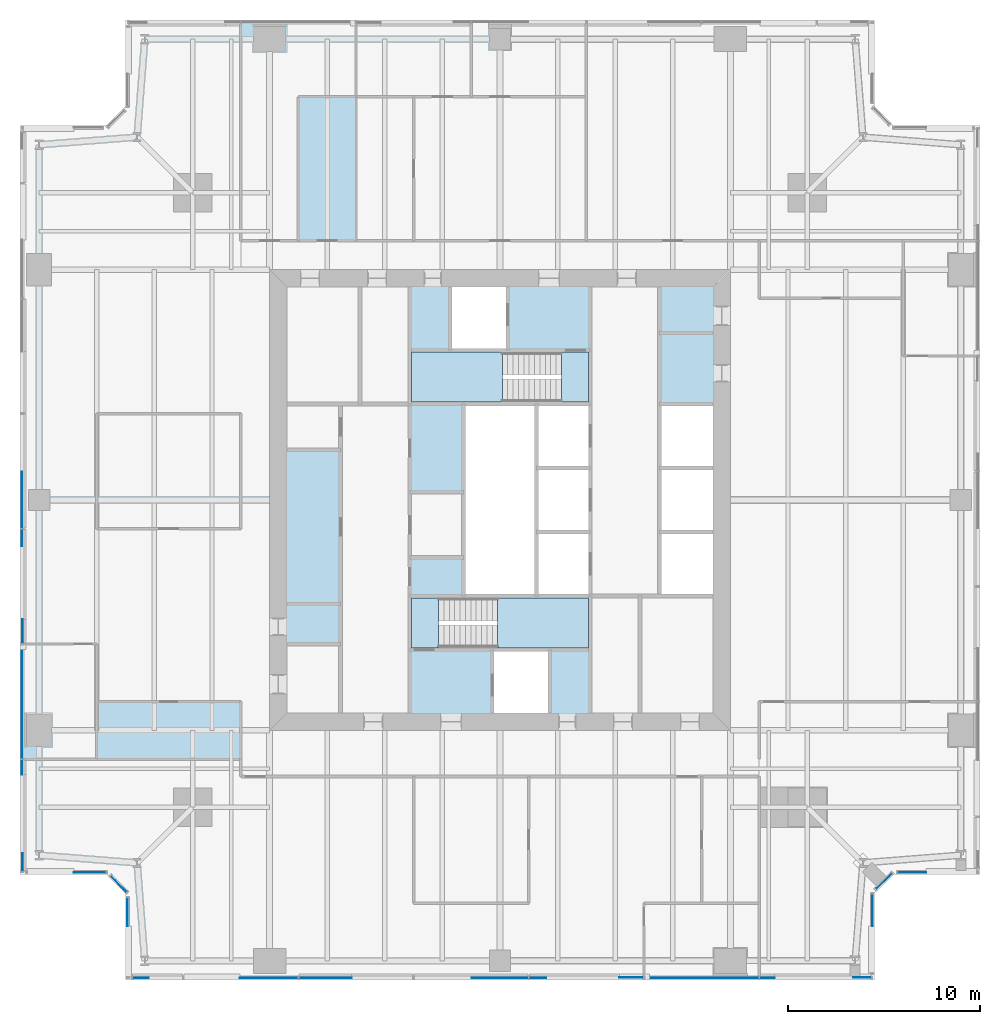
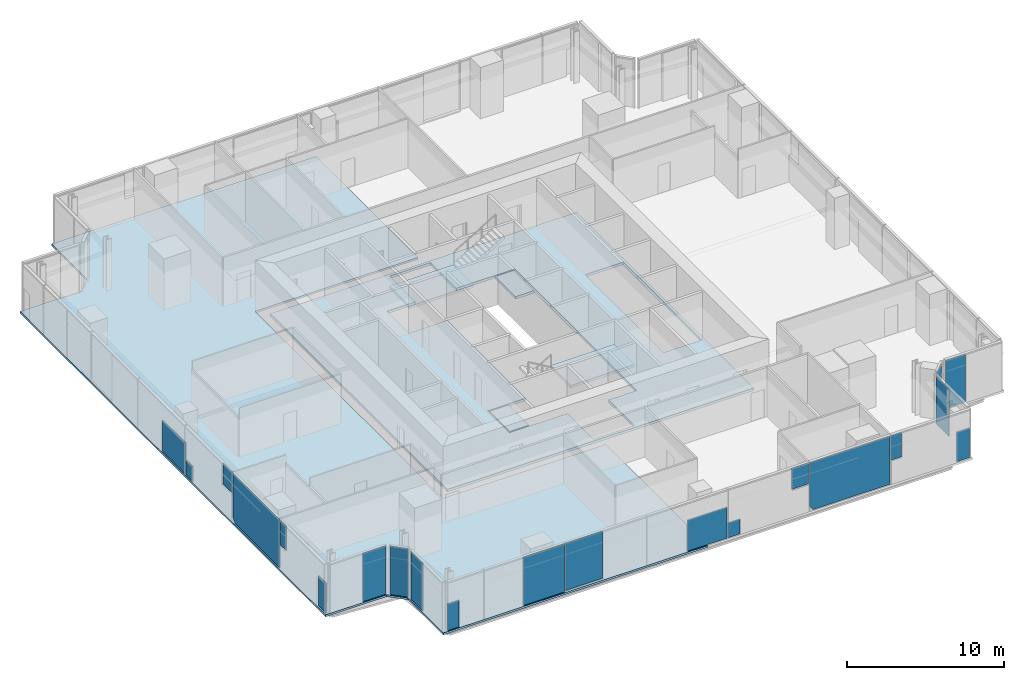
# One storey, part 8 of 15: 21 plates, 6 slabs, 10 elements without a shape of their own.
"""IFC4 building model written with IfcOpenShell, lengths in metres."""

from ifc_helpers import new_model, si_unit, direction, frame, origin, origin_2d, place, context, subcontext, project, spatial, polyline, rectangle, outline, extrude, material, layer, layer_set, type_object, element, aggregate, save


model = new_model("IFC4")

# Units and contexts
model_context = context("Model", 3, precision=1e-05, world=origin(), true_north=direction((0.0, 1.0)))
body_context = subcontext(model_context, "Body", "Model", "MODEL_VIEW")
ifc_project = project(units=[si_unit("LENGTHUNIT", "METRE"), si_unit("AREAUNIT", "SQUARE_METRE"), si_unit("VOLUMEUNIT", "CUBIC_METRE"), si_unit("PLANEANGLEUNIT", "RADIAN"), si_unit("MASSUNIT", "GRAM", prefix="KILO")], contexts=[model_context])

# Site, building, storey
site_placement = place(None, origin())
site = spatial("IfcSite", under=ifc_project, at=site_placement, CompositionType="ELEMENT")
building_placement = place(site_placement, origin())
building = spatial("IfcBuilding", under=site, at=building_placement, Name="Fenwick Lantern Interchange", CompositionType="ELEMENT")
storey_placement = place(building_placement, frame((0.0, 0.0, 209.800048828125)))
storey = spatial("IfcBuildingStorey", under=building, at=storey_placement, Name="L49", CompositionType="ELEMENT", Elevation=209.800048828125)

# Slabs
ifc_material_1 = material(Name="Concrete f'c 35 MPa", Category="concrete")
ifc_layer_1 = layer(ifc_material_1, 0.199951171875)
ifc_layer_set_1 = layer_set([ifc_layer_1], Name="CORE FLOOR SLAB 200")
slab_type_1 = type_object("IfcSlabType", Name="CORE FLOOR SLAB 200", PredefinedType="FLOOR", material=ifc_layer_set_1)
slab_1_placement = place(storey_placement, frame((0.0, 0.0, -0.199951171875)))
element("IfcSlab", 1, at=slab_1_placement, inside=storey, type_object=slab_type_1, Name="L49/SLAB/CORE", PredefinedType="FLOOR", context=body_context, shape_type="SweptSolid", body=[
    extrude(outline(polyline([(13.699951171875, 36.300048828125), (36.300048828125, 36.300048828125), (36.300048828125, 13.699951171875), (13.699951171875, 13.699951171875), (13.699951171875, 36.300048828125)]), holes=[polyline([(24.60009765625, 13.89990234375), (27.60009765625, 13.89990234375), (27.60009765625, 17.199951171875), (29.699951171875, 17.199951171875), (29.699951171875, 20.0), (29.699951171875, 23.333251953125), (29.699951171875, 26.666748046875), (29.699951171875, 30.0), (29.699951171875, 32.800048828125), (25.39990234375, 32.800048828125), (25.39990234375, 36.10009765625), (22.39990234375, 36.10009765625), (22.39990234375, 32.800048828125), (20.300048828125, 32.800048828125), (20.300048828125, 30.0), (23.10009765625, 30.0), (23.10009765625, 20.0), (20.300048828125, 20.0), (20.300048828125, 17.199951171875), (24.60009765625, 17.199951171875), (24.60009765625, 13.89990234375)]), polyline([(33.300048828125, 23.333251953125), (33.300048828125, 20.0), (36.10009765625, 20.0), (36.10009765625, 23.333251953125), (36.10009765625, 26.666748046875), (36.10009765625, 30.0), (33.300048828125, 30.0), (33.300048828125, 26.666748046875), (33.300048828125, 23.333251953125)])]), origin(), (0.0, 0.0, 1.0), 0.199951171875),
])
ifc_material_2 = material(Name="Concrete f'c 35 MPa", Category="concrete")
ifc_layer_2 = layer(ifc_material_2, 0.14990234375)
ifc_layer_set_2 = layer_set([ifc_layer_2], Name="Concrete f'c 35 MPa")
slab_type_2 = type_object("IfcSlabType", Name="FLOOR SLAB 150", PredefinedType="FLOOR", material=ifc_layer_set_2)
slab_2_placement = place(storey_placement, frame((0.0, 0.0, -0.150146484375)))
element("IfcSlab", 2, at=slab_2_placement, inside=storey, type_object=slab_type_2, Name="L49/SLAB/FW", PredefinedType="FLOOR", context=body_context, shape_type="SweptSolid", body=[
    extrude(outline(polyline([(5.5, 0.0), (5.5, 4.5), (4.5, 5.5), (0.0, 5.5), (0.0, 44.5), (4.5, 44.5), (5.5, 45.5), (5.5, 50.0), (25.0, 50.0), (25.0, 37.0), (13.0, 37.0), (13.0, 13.0), (25.0, 13.0), (25.0, 0.0), (5.5, 0.0)])), origin(), (0.0, 0.0, 1.0), 0.150146484375),
])

# Curtain wall, plates
ifc_material_3 = material(Name="Aluminium curtain wall frame", Category="aluminium")
curtain_wall_type = type_object("IfcCurtainWallType", Name="OFFICE CURTAIN WALL", PredefinedType="USERDEFINED", material=ifc_material_3)
curtain_wall_1_placement = place(storey_placement, origin())
curtain_wall_1 = element("IfcCurtainWall", 3, at=curtain_wall_1_placement, inside=storey, type_object=curtain_wall_type, Name="Office curtain wall 01", ObjectType="OFFICE CURTAIN WALL", PredefinedType="USERDEFINED")
ifc_material_4 = material(Name="Vision glass, clear low-iron double glazed", Category="glass")
ifc_layer_3 = layer(ifc_material_4, 0.031982421875)
ifc_layer_set_3 = layer_set([ifc_layer_3], Name="OFFICE CURTAIN WALL PANEL 32")
plate_type = type_object("IfcPlateType", Name="OFFICE CURTAIN WALL PANEL 32", PredefinedType="CURTAIN_PANEL", material=ifc_layer_set_3)
plate_1_placement = place(storey_placement, frame((5.60009765625, 0.10009765625, 0.0), z_axis=(0.0, 0.0, 1.0), x_axis=(1.0, 0.0, 0.0)))
plate_1 = element("IfcPlate", 4, at=plate_1_placement, type_object=plate_type, Name="L49/CW/01/P00a", PredefinedType="CURTAIN_PANEL", context=body_context, shape_type="SweptSolid", body=[
    extrude(outline(polyline([(0.264892578125, 0.0), (1.114990234375, 0.0), (1.114990234375, 2.082275390625), (0.264892578125, 2.082275390625), (0.264892578125, 0.0)])), frame((0.0, 0.01611328125, 0.0), z_axis=(0.0, -1.0, 0.0), x_axis=(1.0, 0.0, 0.0)), (0.0, 0.0, 1.0), 0.031982421875),
])
plate_2_placement = place(storey_placement, frame((5.60009765625, 0.10009765625, 0.0), z_axis=(0.0, 0.0, 1.0), x_axis=(1.0, 0.0, 0.0)))
plate_2 = element("IfcPlate", 5, at=plate_2_placement, type_object=plate_type, Name="L49/CW/01/P01a", PredefinedType="CURTAIN_PANEL", context=body_context, shape_type="SweptSolid", body=[
    extrude(outline(polyline([(5.84814453125, 0.0), (8.867431640625, 0.0), (8.867431640625, 3.75), (5.84814453125, 3.75), (5.84814453125, 0.0)])), frame((0.0, 0.01611328125, 0.0), z_axis=(0.0, -1.0, 0.0), x_axis=(1.0, 0.0, 0.0)), (0.0, 0.0, 1.0), 0.031982421875),
])
plate_3_placement = place(storey_placement, frame((5.60009765625, 0.10009765625, 0.090576171875), z_axis=(0.0, 0.0, 1.0), x_axis=(1.0, 0.0, 0.0)))
plate_3 = element("IfcPlate", 6, at=plate_3_placement, type_object=plate_type, Name="L49/CW/01/P02a", PredefinedType="CURTAIN_PANEL", context=body_context, shape_type="SweptSolid", body=[
    extrude(outline(polyline([(8.9326171875, 0.0), (11.672607421875, 0.0), (11.672607421875, 3.659423828125), (8.9326171875, 3.659423828125), (8.9326171875, 0.0)])), frame((0.0, 0.01611328125, 0.0), z_axis=(0.0, -1.0, 0.0), x_axis=(1.0, 0.0, 0.0)), (0.0, 0.0, 1.0), 0.031982421875),
])
plate_4_placement = place(storey_placement, frame((5.60009765625, 0.10009765625, 0.0), z_axis=(0.0, 0.0, 1.0), x_axis=(1.0, 0.0, 0.0)))
plate_4 = element("IfcPlate", 7, at=plate_4_placement, type_object=plate_type, Name="L49/CW/01/P03a", PredefinedType="CURTAIN_PANEL", context=body_context, shape_type="SweptSolid", body=[
    extrude(outline(polyline([(17.9345703125, 0.0), (20.864501953125, 0.0), (20.864501953125, 2.43994140625), (17.9345703125, 2.43994140625), (17.9345703125, 0.0)])), frame((0.0, 0.01611328125, 0.0), z_axis=(0.0, -1.0, 0.0), x_axis=(1.0, 0.0, 0.0)), (0.0, 0.0, 1.0), 0.031982421875),
])
plate_5_placement = place(storey_placement, frame((5.60009765625, 0.10009765625, 0.0), z_axis=(0.0, 0.0, 1.0), x_axis=(1.0, 0.0, 0.0)))
plate_5 = element("IfcPlate", 8, at=plate_5_placement, type_object=plate_type, Name="L49/CW/01/P04a", PredefinedType="CURTAIN_PANEL", context=body_context, shape_type="SweptSolid", body=[
    extrude(outline(polyline([(20.9326171875, 0.0), (21.8125, 0.0), (21.8125, 1.17724609375), (20.9326171875, 1.17724609375), (20.9326171875, 0.0)])), frame((0.0, 0.01611328125, 0.0), z_axis=(0.0, -1.0, 0.0), x_axis=(1.0, 0.0, 0.0)), (0.0, 0.0, 1.0), 0.031982421875),
])
plate_6_placement = place(storey_placement, frame((5.60009765625, 0.10009765625, 2.0966796875), z_axis=(0.0, 0.0, 1.0), x_axis=(1.0, 0.0, 0.0)))
plate_6 = element("IfcPlate", 9, at=plate_6_placement, type_object=plate_type, Name="L49/CW/01/P04b", PredefinedType="CURTAIN_PANEL", context=body_context, shape_type="SweptSolid", body=[
    extrude(outline(polyline([(25.623046875, 0.0), (26.867431640625, 0.0), (26.867431640625, 1.6533203125), (25.623046875, 1.6533203125), (25.623046875, 0.0)])), frame((0.0, 0.0498046875, 0.0), z_axis=(0.0, -1.0, 0.0), x_axis=(1.0, 0.0, 0.0)), (0.0, 0.0, 1.0), 0.031982421875),
])
plate_7_placement = place(storey_placement, frame((5.60009765625, 0.10009765625, 0.0), z_axis=(0.0, 0.0, 1.0), x_axis=(1.0, 0.0, 0.0)))
plate_7 = element("IfcPlate", 10, at=plate_7_placement, type_object=plate_type, Name="L49/CW/01/P05a", PredefinedType="CURTAIN_PANEL", context=body_context, shape_type="SweptSolid", body=[
    extrude(outline(polyline([(27.195556640625, 0.0), (32.867431640625, 0.0), (32.867431640625, 3.75), (26.9326171875, 3.75), (26.9326171875, 0.3505859375), (27.195556640625, 0.0)])), frame((0.0, 0.01611328125, 0.0), z_axis=(0.0, -1.0, 0.0), x_axis=(1.0, 0.0, 0.0)), (0.0, 0.0, 1.0), 0.031982421875),
])
plate_8_placement = place(storey_placement, frame((5.60009765625, 0.10009765625, 1.843994140625), z_axis=(0.0, 0.0, 1.0), x_axis=(1.0, 0.0, 0.0)))
plate_8 = element("IfcPlate", 11, at=plate_8_placement, type_object=plate_type, Name="L49/CW/01/P06a", PredefinedType="CURTAIN_PANEL", context=body_context, shape_type="SweptSolid", body=[
    extrude(outline(polyline([(32.9326171875, 0.0), (33.702392578125, 0.0), (33.702392578125, 1.906005859375), (32.9326171875, 1.906005859375), (32.9326171875, 0.0)])), frame((0.0, 0.01611328125, 0.0), z_axis=(0.0, -1.0, 0.0), x_axis=(1.0, 0.0, 0.0)), (0.0, 0.0, 1.0), 0.031982421875),
])
plate_9_placement = place(storey_placement, frame((5.60009765625, 0.10009765625, 0.0), z_axis=(0.0, 0.0, 1.0), x_axis=(1.0, 0.0, 0.0)))
plate_9 = element("IfcPlate", 12, at=plate_9_placement, type_object=plate_type, Name="L49/CW/01/P06b", PredefinedType="CURTAIN_PANEL", context=body_context, shape_type="SweptSolid", body=[
    extrude(outline(polyline([(37.7890625, 0.0), (38.735107421875, 0.0), (38.735107421875, 2.33837890625), (37.7890625, 2.33837890625), (37.7890625, 0.0)])), frame((0.0, 0.0498046875, 0.0), z_axis=(0.0, -1.0, 0.0), x_axis=(1.0, 0.0, 0.0)), (0.0, 0.0, 1.0), 0.031982421875),
])
aggregate(curtain_wall_1, [plate_1, plate_2, plate_3, plate_4, plate_5, plate_6, plate_7, plate_8, plate_9])

# Curtain wall, plate
curtain_wall_2_placement = place(storey_placement, origin())
curtain_wall_2 = element("IfcCurtainWall", 13, at=curtain_wall_2_placement, inside=storey, type_object=curtain_wall_type, Name="Office curtain wall 02", ObjectType="OFFICE CURTAIN WALL", PredefinedType="USERDEFINED")
plate_10_placement = place(storey_placement, frame((44.39990234375, 0.10009765625, 0.0), z_axis=(0.0, 0.0, 1.0), x_axis=(0.0, 1.0, 0.0)))
plate_10 = element("IfcPlate", 14, at=plate_10_placement, type_object=plate_type, Name="L49/CW/02/P00a", PredefinedType="CURTAIN_PANEL", context=body_context, shape_type="SweptSolid", body=[
    extrude(outline(polyline([(2.699951171875, 0.0), (4.37646484375, 0.0), (4.37646484375, 3.75), (2.699951171875, 3.75), (2.699951171875, 0.0)])), frame((0.0, 0.01611328125, 0.0), z_axis=(0.0, -1.0, 0.0), x_axis=(1.0, 0.0, 0.0)), (0.0, 0.0, 1.0), 0.031982421875),
])
aggregate(curtain_wall_2, [plate_10])

curtain_wall_3_placement = place(storey_placement, origin())
curtain_wall_3 = element("IfcCurtainWall", 15, at=curtain_wall_3_placement, inside=storey, type_object=curtain_wall_type, Name="Office curtain wall 03", ObjectType="OFFICE CURTAIN WALL", PredefinedType="USERDEFINED")
plate_11_placement = place(storey_placement, frame((45.0, 5.141357421875, 0.0), z_axis=(0.0, 0.0, 1.0), x_axis=(0.707106781187, 0.707106781187, 0.0)))
plate_11 = element("IfcPlate", 16, at=plate_11_placement, type_object=plate_type, Name="L49/CW/03/P00", PredefinedType="CURTAIN_PANEL", context=body_context, shape_type="SweptSolid", body=[
    extrude(rectangle(XDim=1.1669921875, YDim=0.031982421875, at=origin_2d()), origin(), (0.0, 0.0, 1.0), 3.75),
])
aggregate(curtain_wall_3, [plate_11])

curtain_wall_4_placement = place(storey_placement, origin())
curtain_wall_4 = element("IfcCurtainWall", 17, at=curtain_wall_4_placement, inside=storey, type_object=curtain_wall_type, Name="Office curtain wall 04", ObjectType="OFFICE CURTAIN WALL", PredefinedType="USERDEFINED")
plate_12_placement = place(storey_placement, frame((45.45849609375, 5.60009765625, 0.0), z_axis=(0.0, 0.0, 1.0), x_axis=(1.0, 0.0, 0.0)))
plate_12 = element("IfcPlate", 18, at=plate_12_placement, type_object=plate_type, Name="L49/CW/04/P00a", PredefinedType="CURTAIN_PANEL", context=body_context, shape_type="SweptSolid", body=[
    extrude(outline(polyline([(0.264892578125, 0.0), (1.741455078125, 0.0), (1.741455078125, 3.75), (0.264892578125, 3.75), (0.264892578125, 0.0)])), frame((0.0, 0.01611328125, 0.0), z_axis=(0.0, -1.0, 0.0), x_axis=(1.0, 0.0, 0.0)), (0.0, 0.0, 1.0), 0.031982421875),
])
aggregate(curtain_wall_4, [plate_12])

# Curtain wall, plates
curtain_wall_5_placement = place(storey_placement, origin())
curtain_wall_5 = element("IfcCurtainWall", 19, at=curtain_wall_5_placement, inside=storey, type_object=curtain_wall_type, Name="Office curtain wall 13", ObjectType="OFFICE CURTAIN WALL", PredefinedType="USERDEFINED")
plate_13_placement = place(storey_placement, frame((0.10009765625, 44.39990234375, 0.0), z_axis=(0.0, 0.0, 1.0), x_axis=(0.0, -1.0, 0.0)))
plate_13 = element("IfcPlate", 20, at=plate_13_placement, type_object=plate_type, Name="L49/CW/13/P03a", PredefinedType="CURTAIN_PANEL", context=body_context, shape_type="SweptSolid", body=[
    extrude(outline(polyline([(17.9345703125, 0.0), (20.864501953125, 0.0), (20.864501953125, 2.43994140625), (17.9345703125, 2.43994140625), (17.9345703125, 0.0)])), frame((0.0, 0.01611328125, 0.0), z_axis=(0.0, -1.0, 0.0), x_axis=(1.0, 0.0, 0.0)), (0.0, 0.0, 1.0), 0.031982421875),
])
plate_14_placement = place(storey_placement, frame((0.10009765625, 44.39990234375, 0.0), z_axis=(0.0, 0.0, 1.0), x_axis=(0.0, -1.0, 0.0)))
plate_14 = element("IfcPlate", 21, at=plate_14_placement, type_object=plate_type, Name="L49/CW/13/P04a", PredefinedType="CURTAIN_PANEL", context=body_context, shape_type="SweptSolid", body=[
    extrude(outline(polyline([(20.9326171875, 0.0), (21.8125, 0.0), (21.8125, 1.17724609375), (20.9326171875, 1.17724609375), (20.9326171875, 0.0)])), frame((0.0, 0.01611328125, 0.0), z_axis=(0.0, -1.0, 0.0), x_axis=(1.0, 0.0, 0.0)), (0.0, 0.0, 1.0), 0.031982421875),
])
plate_15_placement = place(storey_placement, frame((0.10009765625, 44.39990234375, 2.0966796875), z_axis=(0.0, 0.0, 1.0), x_axis=(0.0, -1.0, 0.0)))
plate_15 = element("IfcPlate", 22, at=plate_15_placement, type_object=plate_type, Name="L49/CW/13/P04b", PredefinedType="CURTAIN_PANEL", context=body_context, shape_type="SweptSolid", body=[
    extrude(outline(polyline([(25.623046875, 0.0), (26.867431640625, 0.0), (26.867431640625, 1.6533203125), (25.623046875, 1.6533203125), (25.623046875, 0.0)])), frame((0.0, 0.0498046875, 0.0), z_axis=(0.0, -1.0, 0.0), x_axis=(1.0, 0.0, 0.0)), (0.0, 0.0, 1.0), 0.031982421875),
])
plate_16_placement = place(storey_placement, frame((0.10009765625, 44.39990234375, 0.0), z_axis=(0.0, 0.0, 1.0), x_axis=(0.0, -1.0, 0.0)))
plate_16 = element("IfcPlate", 23, at=plate_16_placement, type_object=plate_type, Name="L49/CW/13/P05a", PredefinedType="CURTAIN_PANEL", context=body_context, shape_type="SweptSolid", body=[
    extrude(outline(polyline([(27.195556640625, 0.0), (32.867431640625, 0.0), (32.867431640625, 3.75), (26.9326171875, 3.75), (26.9326171875, 0.3505859375), (27.195556640625, 0.0)])), frame((0.0, 0.01611328125, 0.0), z_axis=(0.0, -1.0, 0.0), x_axis=(1.0, 0.0, 0.0)), (0.0, 0.0, 1.0), 0.031982421875),
])
plate_17_placement = place(storey_placement, frame((0.10009765625, 44.39990234375, 1.843994140625), z_axis=(0.0, 0.0, 1.0), x_axis=(0.0, -1.0, 0.0)))
plate_17 = element("IfcPlate", 24, at=plate_17_placement, type_object=plate_type, Name="L49/CW/13/P06a", PredefinedType="CURTAIN_PANEL", context=body_context, shape_type="SweptSolid", body=[
    extrude(outline(polyline([(32.9326171875, 0.0), (33.702392578125, 0.0), (33.702392578125, 1.906005859375), (32.9326171875, 1.906005859375), (32.9326171875, 0.0)])), frame((0.0, 0.01611328125, 0.0), z_axis=(0.0, -1.0, 0.0), x_axis=(1.0, 0.0, 0.0)), (0.0, 0.0, 1.0), 0.031982421875),
])
plate_18_placement = place(storey_placement, frame((0.10009765625, 44.39990234375, 0.0), z_axis=(0.0, 0.0, 1.0), x_axis=(0.0, -1.0, 0.0)))
plate_18 = element("IfcPlate", 25, at=plate_18_placement, type_object=plate_type, Name="L49/CW/13/P06b", PredefinedType="CURTAIN_PANEL", context=body_context, shape_type="SweptSolid", body=[
    extrude(outline(polyline([(37.7890625, 0.0), (38.735107421875, 0.0), (38.735107421875, 2.33837890625), (37.7890625, 2.33837890625), (37.7890625, 0.0)])), frame((0.0, 0.0498046875, 0.0), z_axis=(0.0, -1.0, 0.0), x_axis=(1.0, 0.0, 0.0)), (0.0, 0.0, 1.0), 0.031982421875),
])
aggregate(curtain_wall_5, [plate_13, plate_14, plate_15, plate_16, plate_17, plate_18])

# Curtain wall, plate
curtain_wall_6_placement = place(storey_placement, origin())
curtain_wall_6 = element("IfcCurtainWall", 26, at=curtain_wall_6_placement, inside=storey, type_object=curtain_wall_type, Name="Office curtain wall 14", ObjectType="OFFICE CURTAIN WALL", PredefinedType="USERDEFINED")
plate_19_placement = place(storey_placement, frame((0.10009765625, 5.60009765625, 0.0), z_axis=(0.0, 0.0, 1.0), x_axis=(1.0, 0.0, 0.0)))
plate_19 = element("IfcPlate", 27, at=plate_19_placement, type_object=plate_type, Name="L49/CW/14/P00a", PredefinedType="CURTAIN_PANEL", context=body_context, shape_type="SweptSolid", body=[
    extrude(outline(polyline([(2.699951171875, 0.0), (4.37646484375, 0.0), (4.37646484375, 3.75), (2.699951171875, 3.75), (2.699951171875, 0.0)])), frame((0.0, 0.01611328125, 0.0), z_axis=(0.0, -1.0, 0.0), x_axis=(1.0, 0.0, 0.0)), (0.0, 0.0, 1.0), 0.031982421875),
])
aggregate(curtain_wall_6, [plate_19])

curtain_wall_7_placement = place(storey_placement, origin())
curtain_wall_7 = element("IfcCurtainWall", 28, at=curtain_wall_7_placement, inside=storey, type_object=curtain_wall_type, Name="Office curtain wall 15", ObjectType="OFFICE CURTAIN WALL", PredefinedType="USERDEFINED")
plate_20_placement = place(storey_placement, frame((5.141357421875, 5.0, 0.0), z_axis=(0.0, 0.0, 1.0), x_axis=(0.707106781187, -0.707106781187, 0.0)))
plate_20 = element("IfcPlate", 29, at=plate_20_placement, type_object=plate_type, Name="L49/CW/15/P00", PredefinedType="CURTAIN_PANEL", context=body_context, shape_type="SweptSolid", body=[
    extrude(rectangle(XDim=1.1669921875, YDim=0.031982421875, at=origin_2d()), origin(), (0.0, 0.0, 1.0), 3.75),
])
aggregate(curtain_wall_7, [plate_20])

curtain_wall_8_placement = place(storey_placement, origin())
curtain_wall_8 = element("IfcCurtainWall", 30, at=curtain_wall_8_placement, inside=storey, type_object=curtain_wall_type, Name="Office curtain wall 16", ObjectType="OFFICE CURTAIN WALL", PredefinedType="USERDEFINED")
plate_21_placement = place(storey_placement, frame((5.60009765625, 4.54150390625, 0.0), z_axis=(0.0, 0.0, 1.0), x_axis=(0.0, -1.0, 0.0)))
plate_21 = element("IfcPlate", 31, at=plate_21_placement, type_object=plate_type, Name="L49/CW/16/P00a", PredefinedType="CURTAIN_PANEL", context=body_context, shape_type="SweptSolid", body=[
    extrude(outline(polyline([(0.264892578125, 0.0), (1.741455078125, 0.0), (1.741455078125, 3.75), (0.264892578125, 3.75), (0.264892578125, 0.0)])), frame((0.0, 0.01611328125, 0.0), z_axis=(0.0, -1.0, 0.0), x_axis=(1.0, 0.0, 0.0)), (0.0, 0.0, 1.0), 0.031982421875),
])
aggregate(curtain_wall_8, [plate_21])

# Stair, slabs
ifc_material_5 = material(Name="Precast concrete f'c 35 MPa", Category="concrete")
stair_type = type_object("IfcStairType", Name="EXIT STAIR 1200", PredefinedType="HALF_TURN_STAIR", material=ifc_material_5)
stair_1_placement = place(storey_placement, origin())
stair_1 = element("IfcStair", 32, at=stair_1_placement, inside=storey, type_object=stair_type, Name="Exit stair ST1", PredefinedType="HALF_TURN_STAIR")
ifc_layer_4 = layer(ifc_material_1, 0.199951171875)
ifc_layer_set_4 = layer_set([ifc_layer_4], Name="STAIR LANDING 200")
slab_type_3 = type_object("IfcSlabType", Name="STAIR LANDING 200", PredefinedType="LANDING", material=ifc_layer_set_4)
slab_3_placement = place(storey_placement, frame((0.0, 0.0, 1.800048828125)))
slab_3 = element("IfcSlab", 33, at=slab_3_placement, type_object=slab_type_3, Name="ST1 landing 1", PredefinedType="LANDING", context=body_context, shape_type="SweptSolid", body=[
    extrude(outline(polyline([(24.8798828125, 17.300048828125), (29.60009765625, 17.300048828125), (29.60009765625, 19.89990234375), (24.8798828125, 19.89990234375), (24.8798828125, 17.300048828125)])), origin(), (0.0, 0.0, 1.0), 0.199951171875),
])
slab_4_placement = place(storey_placement, frame((0.0, 0.0, -0.199951171875)))
slab_4 = element("IfcSlab", 34, at=slab_4_placement, type_object=slab_type_3, Name="ST1 landing 2", PredefinedType="LANDING", context=body_context, shape_type="SweptSolid", body=[
    extrude(outline(polyline([(20.39990234375, 17.300048828125), (21.800048828125, 17.300048828125), (21.800048828125, 19.89990234375), (20.39990234375, 19.89990234375), (20.39990234375, 17.300048828125)])), origin(), (0.0, 0.0, 1.0), 0.199951171875),
])
aggregate(stair_1, [slab_3, slab_4])

stair_2_placement = place(storey_placement, origin())
stair_2 = element("IfcStair", 35, at=stair_2_placement, inside=storey, type_object=stair_type, Name="Exit stair ST2", PredefinedType="HALF_TURN_STAIR")
slab_5_placement = place(storey_placement, frame((0.0, 0.0, 1.800048828125)))
slab_5 = element("IfcSlab", 36, at=slab_5_placement, type_object=slab_type_3, Name="ST2 landing 1", PredefinedType="LANDING", context=body_context, shape_type="SweptSolid", body=[
    extrude(outline(polyline([(25.1201171875, 32.699951171875), (20.39990234375, 32.699951171875), (20.39990234375, 30.10009765625), (25.1201171875, 30.10009765625), (25.1201171875, 32.699951171875)])), origin(), (0.0, 0.0, 1.0), 0.199951171875),
])
slab_6_placement = place(storey_placement, frame((0.0, 0.0, -0.199951171875)))
slab_6 = element("IfcSlab", 37, at=slab_6_placement, type_object=slab_type_3, Name="ST2 landing 2", PredefinedType="LANDING", context=body_context, shape_type="SweptSolid", body=[
    extrude(outline(polyline([(29.60009765625, 32.699951171875), (28.199951171875, 32.699951171875), (28.199951171875, 30.10009765625), (29.60009765625, 30.10009765625), (29.60009765625, 32.699951171875)])), origin(), (0.0, 0.0, 1.0), 0.199951171875),
])
aggregate(stair_2, [slab_5, slab_6])

save(model, "model.ifc")
